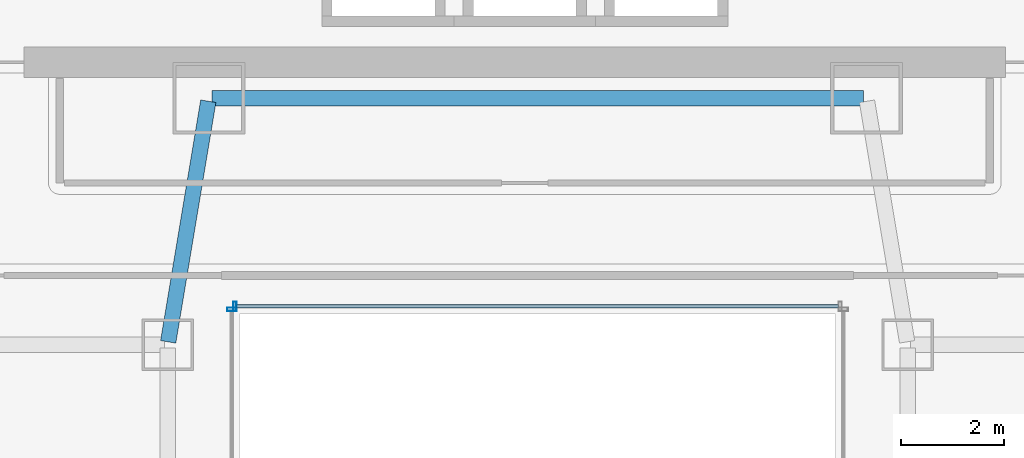
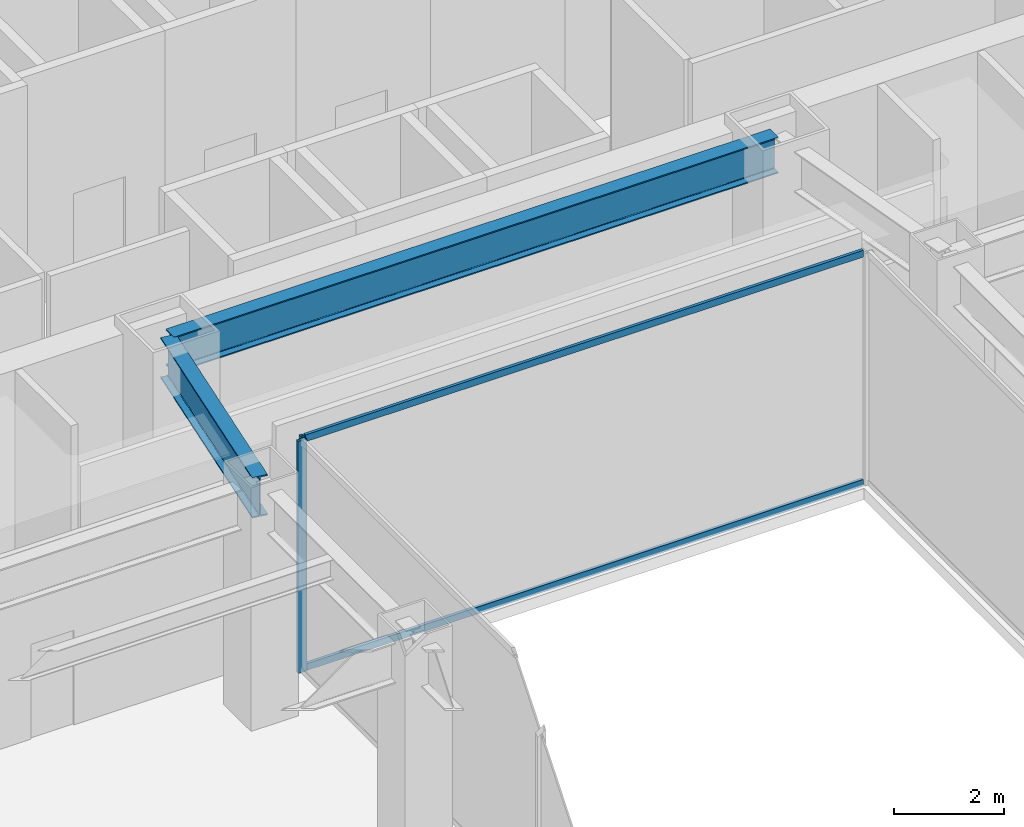
# One storey, part 12 of 29: 4 members, 2 beams, 2 elements without a shape of their own.
"""IFC4 building model written with IfcOpenShell, lengths in metres."""

from ifc_helpers import new_model, si_unit, direction, frame, origin, origin_2d, place, context, subcontext, project, spatial, hollow_rectangle, i_section, extrude, material, material_profile, profile_set, type_object, element, aggregate, save


model = new_model("IFC4")

# Units and contexts
model_context = context("Model", 3, precision=1e-05, world=origin(), true_north=direction((0.0, 1.0)))
body_context = subcontext(model_context, "Body", "Model", "MODEL_VIEW")
ifc_project = project(units=[si_unit("LENGTHUNIT", "METRE"), si_unit("AREAUNIT", "SQUARE_METRE"), si_unit("VOLUMEUNIT", "CUBIC_METRE"), si_unit("PLANEANGLEUNIT", "RADIAN"), si_unit("MASSUNIT", "GRAM", prefix="KILO")], contexts=[model_context])

# Site, building, storey
site_placement = place(None, origin())
site = spatial("IfcSite", under=ifc_project, at=site_placement, CompositionType="ELEMENT")
building_placement = place(site_placement, origin())
building = spatial("IfcBuilding", under=site, at=building_placement, Name="Saevonmaru Cultural Tower", CompositionType="ELEMENT")
storey_placement = place(building_placement, frame((0.0, 0.0, 27.60009765625)))
storey = spatial("IfcBuildingStorey", under=building, at=storey_placement, Name="L05", CompositionType="ELEMENT", Elevation=27.60009765625)

# Beams
ifc_material_1 = material(Name="Steel SM420", Category="steel")
ifc_material_profile_1 = material_profile(ifc_material_1, i_section(OverallWidth=0.300048828125, OverallDepth=0.800048828125, WebThickness=0.013916015625, FlangeThickness=0.02587890625, FilletRadius=0.028076171875, at=origin_2d()), Name="H-800x300x14x26")
ifc_profile_set_1 = profile_set([ifc_material_profile_1], Name="Steel SM420")
beam_type_1 = type_object("IfcBeamType", Name="BM-G-H800", PredefinedType="BEAM", material=ifc_profile_set_1)
beam_1_placement = place(storey_placement, frame((23.659912109375, 42.39990234375, 4.75), z_axis=(1.0, 0.0, 0.0), x_axis=(0.0, 1.0, 0.0)))
element("IfcBeam", 1, at=beam_1_placement, inside=storey, type_object=beam_type_1, Name="L05 Core South Girder 3", PredefinedType="BEAM", context=body_context, shape_type="SweptSolid", body=[
    extrude(i_section(OverallWidth=0.300048828125, OverallDepth=0.800048828125, WebThickness=0.013916015625, FlangeThickness=0.02587890625, FilletRadius=0.028076171875, at=origin_2d()), origin(), (0.0, 0.0, 1.0), 12.68017578125),
])
ifc_material_profile_2 = material_profile(ifc_material_1, i_section(OverallWidth=0.300048828125, OverallDepth=0.89990234375, WebThickness=0.01611328125, FlangeThickness=0.028076171875, FilletRadius=0.028076171875, at=origin_2d()), Name="H-900x300x16x28")
ifc_profile_set_2 = profile_set([ifc_material_profile_2], Name="Steel SM420")
beam_type_2 = type_object("IfcBeamType", Name="BM-G-H900", PredefinedType="BEAM", material=ifc_profile_set_2)
beam_2_placement = place(storey_placement, frame((22.809814453125, 37.6591796875, 4.699951171875), z_axis=(0.164398987305, 0.986393923832, 0.0), x_axis=(-0.986393923832, 0.164398987305, 0.0)))
element("IfcBeam", 2, at=beam_2_placement, inside=storey, type_object=beam_type_2, Name="L05 Podium Girder NS2-6", PredefinedType="BEAM", context=body_context, shape_type="SweptSolid", body=[
    extrude(i_section(OverallWidth=0.300048828125, OverallDepth=0.89990234375, WebThickness=0.01611328125, FlangeThickness=0.028076171875, FilletRadius=0.028076171875, at=origin_2d()), origin(), (0.0, 0.0, 1.0), 4.746337890625),
])

# Curtain wall, member
ifc_material_2 = material(Name="Satin Bronze Anodised Aluminium", Category="aluminium")
curtain_wall_type = type_object("IfcCurtainWallType", Name="CW-ATR-GLZ", PredefinedType="NOTDEFINED", material=ifc_material_2)
curtain_wall_1_placement = place(storey_placement, origin())
curtain_wall_1 = element("IfcCurtainWall", 3, at=curtain_wall_1_placement, inside=storey, type_object=curtain_wall_type, Name="L05 Vertical Atrium Glazed Smoke Screen 3", PredefinedType="NOTDEFINED")
ifc_material_profile_3 = material_profile(ifc_material_2, hollow_rectangle(XDim=0.06494140625, YDim=0.179931640625, WallThickness=0.00390625, at=origin_2d()), Name="ALU-MULL-180x65x4")
ifc_profile_set_3 = profile_set([ifc_material_profile_3], Name="Satin Bronze Anodised Aluminium")
member_type_1 = type_object("IfcMemberType", Name="ML-CW-INT-180x65", PredefinedType="MULLION", material=ifc_profile_set_3)
member_1_placement = place(storey_placement, frame((24.110107421875, 38.35009765625, 0.0), z_axis=(0.0, 0.0, 1.0), x_axis=(-1.0, 0.0, 0.0)))
member_1 = element("IfcMember", 4, at=member_1_placement, type_object=member_type_1, Name="CW-ATR-L05-3 mullion 2", PredefinedType="MULLION", context=body_context, shape_type="SweptSolid", body=[
    extrude(hollow_rectangle(XDim=0.06494140625, YDim=0.179931640625, WallThickness=0.00390625, at=origin_2d()), origin(), (0.0, 0.0, 1.0), 5.14990234375),
])

curtain_wall_2_placement = place(storey_placement, origin())
curtain_wall_2 = element("IfcCurtainWall", 5, at=curtain_wall_2_placement, inside=storey, type_object=curtain_wall_type, Name="L05 Vertical Atrium Glazed Smoke Screen 4", PredefinedType="NOTDEFINED")
member_2_placement = place(storey_placement, frame((24.050048828125, 38.2900390625, 0.0), z_axis=(0.0, 0.0, 1.0), x_axis=(0.0, -1.0, 0.0)))
member_2 = element("IfcMember", 6, at=member_2_placement, type_object=member_type_1, Name="CW-ATR-L05-4 mullion 1", PredefinedType="MULLION", context=body_context, shape_type="SweptSolid", body=[
    extrude(hollow_rectangle(XDim=0.06494140625, YDim=0.179931640625, WallThickness=0.00390625, at=origin_2d()), origin(), (0.0, 0.0, 1.0), 5.14990234375),
])
aggregate(curtain_wall_2, [member_2])

# Member
ifc_material_profile_4 = material_profile(ifc_material_2, hollow_rectangle(XDim=0.06494140625, YDim=0.14990234375, WallThickness=0.00390625, at=origin_2d()), Name="ALU-TRAN-150x65x4")
ifc_profile_set_4 = profile_set([ifc_material_profile_4], Name="Satin Bronze Anodised Aluminium")
member_type_2 = type_object("IfcMemberType", Name="TR-CW-INT-150x65", PredefinedType="USERDEFINED", material=ifc_profile_set_4)
member_3_placement = place(storey_placement, frame((35.857421875, 38.35009765625, 0.032470703125), z_axis=(-1.0, 0.0, 0.0), x_axis=(0.0, -1.0, 0.0)))
member_3 = element("IfcMember", 7, at=member_3_placement, type_object=member_type_2, Name="CW-ATR-L05-3 transom 1.1", ObjectType="TRANSOM", PredefinedType="USERDEFINED", context=body_context, shape_type="SweptSolid", body=[
    extrude(hollow_rectangle(XDim=0.06494140625, YDim=0.14990234375, WallThickness=0.00390625, at=origin_2d()), origin(), (0.0, 0.0, 1.0), 11.71484375),
])

member_4_placement = place(storey_placement, frame((35.857421875, 38.35009765625, 5.117431640625), z_axis=(-1.0, 0.0, 0.0), x_axis=(0.0, -1.0, 0.0)))
member_4 = element("IfcMember", 8, at=member_4_placement, type_object=member_type_2, Name="CW-ATR-L05-3 transom 1.2", ObjectType="TRANSOM", PredefinedType="USERDEFINED", context=body_context, shape_type="SweptSolid", body=[
    extrude(hollow_rectangle(XDim=0.06494140625, YDim=0.14990234375, WallThickness=0.00390625, at=origin_2d()), origin(), (0.0, 0.0, 1.0), 11.71484375),
])

aggregate(curtain_wall_1, [member_1, member_3, member_4])

save(model, "model.ifc")
